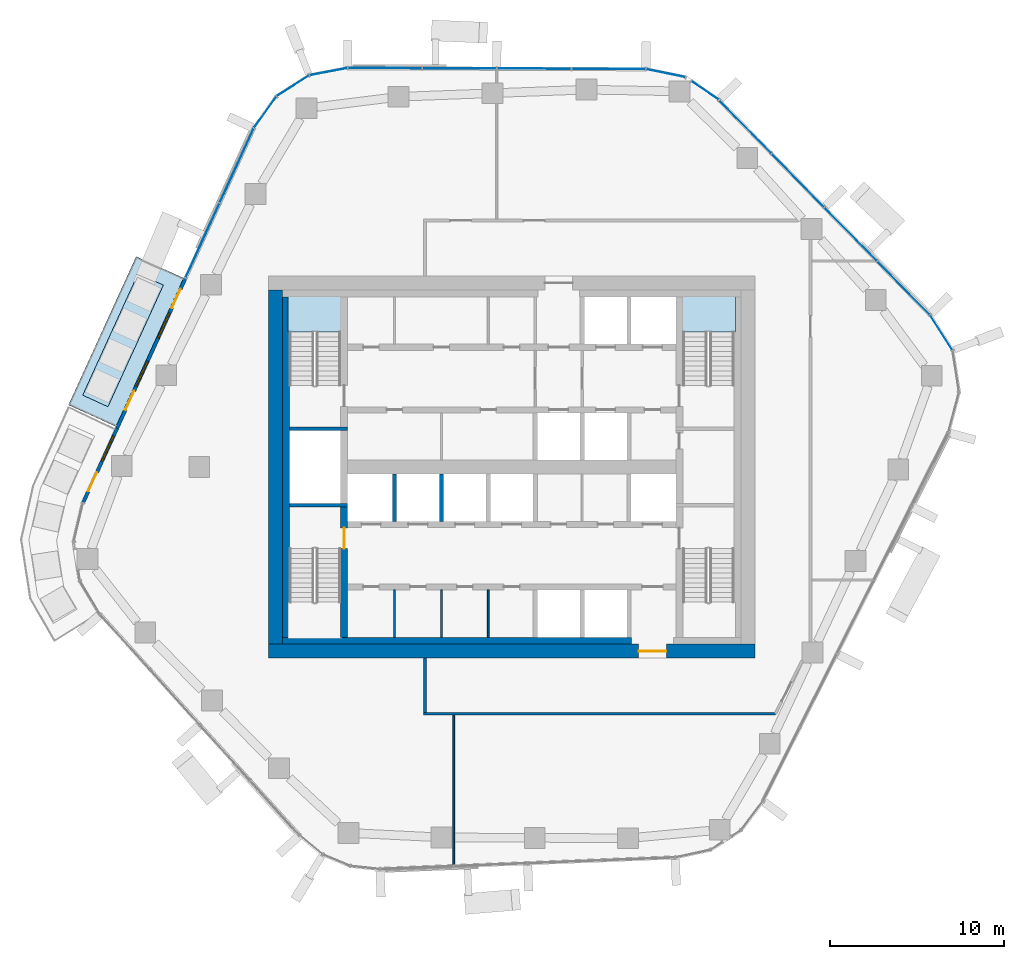
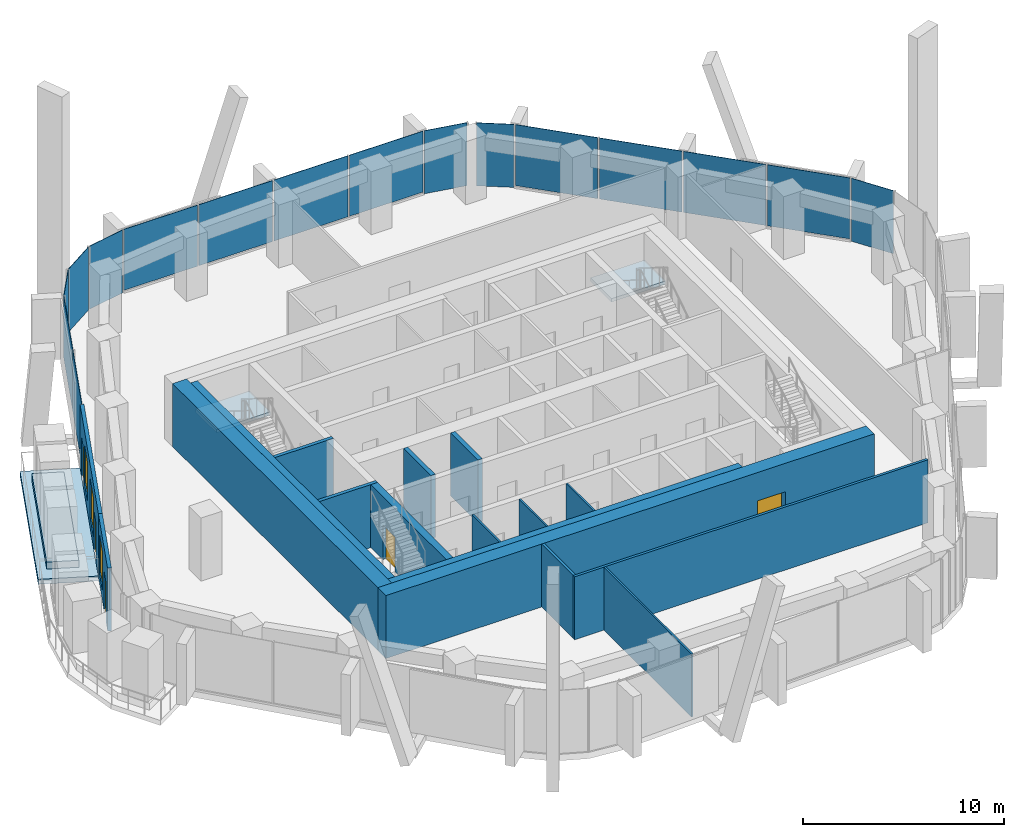
# One storey, part 11 of 19: 17 walls, 16 plates, 5 doors, 4 slabs, 3 windows, 8 openings, 9 elements without a shape of their own.
"""IFC4 building model written with IfcOpenShell, lengths in metres."""

from ifc_helpers import new_model, si_unit, direction, frame, frame_2d, origin, origin_2d, place, context, subcontext, project, spatial, polyline, rectangle, outline, extrude, material, layer, layer_set, type_object, element, fill, aggregate, save


model = new_model("IFC4")

# Units and contexts
model_context = context("Model", 3, precision=1e-05, world=origin(), true_north=direction((0.0, 1.0)))
body_context = subcontext(model_context, "Body", "Model", "MODEL_VIEW")
ifc_project = project(units=[si_unit("LENGTHUNIT", "METRE"), si_unit("AREAUNIT", "SQUARE_METRE"), si_unit("VOLUMEUNIT", "CUBIC_METRE"), si_unit("PLANEANGLEUNIT", "RADIAN"), si_unit("MASSUNIT", "GRAM", prefix="KILO")], contexts=[model_context])

# Site, building, storey
site_placement = place(None, origin())
site = spatial("IfcSite", under=ifc_project, at=site_placement, CompositionType="ELEMENT")
building_placement = place(site_placement, origin())
building = spatial("IfcBuilding", under=site, at=building_placement, Name="Dongbaek Canopy Tower", CompositionType="ELEMENT")
storey_placement = place(building_placement, frame((0.0, 0.0, 198.800048828125)))
storey = spatial("IfcBuildingStorey", under=building, at=storey_placement, Name="L41", CompositionType="ELEMENT", Elevation=198.800048828125)

# Slab
ifc_material_1 = material(Name="Concrete C40/50", Category="concrete")
ifc_layer_1 = layer(ifc_material_1, 0.300048828125)
ifc_layer_set_1 = layer_set([ifc_layer_1], Name="Balcony slab 300")
slab_type_1 = type_object("IfcSlabType", Name="Balcony slab 300", PredefinedType="FLOOR", material=ifc_layer_set_1)
slab_1_placement = place(storey_placement, frame((0.0, 0.0, -0.300048828125)))
element("IfcSlab", 1, at=slab_1_placement, inside=storey, type_object=slab_type_1, Name="Balcony L41 1", PredefinedType="FLOOR", context=body_context, shape_type="SweptSolid", body=[
    extrude(outline(polyline([(-18.8994140625, 10.88330078125), (-22.796142578125, 2.33447265625), (-25.52587890625, 3.57861328125), (-21.629150390625, 12.12744140625), (-18.8994140625, 10.88330078125)])), origin(), (0.0, 0.0, 1.0), 0.300048828125),
])

# Curtain wall, plate
ifc_material_2 = material(Name="Aluminium 6063-T6 pale anodised", Category="aluminium")
ifc_layer_2 = layer(ifc_material_2, 0.199951171875)
ifc_layer_set_2 = layer_set([ifc_layer_2], Name="CW-1 unitised tower curtain wall")
curtain_wall_type = type_object("IfcCurtainWallType", Name="CW-1 unitised tower curtain wall", PredefinedType="NOTDEFINED", material=ifc_layer_set_2)
curtain_wall_1_placement = place(storey_placement, origin())
curtain_wall_1 = element("IfcCurtainWall", 2, at=curtain_wall_1_placement, inside=storey, type_object=curtain_wall_type, Name="CW-1 curtain wall K0.1", PredefinedType="NOTDEFINED")
ifc_material_3 = material(Name="Clear laminated glass", Category="glass")
ifc_layer_3 = layer(ifc_material_3, 0.028076171875)
ifc_layer_set_3 = layer_set([ifc_layer_3], Name="CW-1 glazed panel 28")
plate_type = type_object("IfcPlateType", Name="CW-1 glazed panel 28", PredefinedType="CURTAIN_PANEL", material=ifc_layer_set_3)
plate_1_placement = place(storey_placement, frame((24.725830078125, 7.748046875, 0.0), z_axis=(0.0, 0.0, 1.0), x_axis=(-0.538699608566, 0.842497912004, 0.0)))
plate_1 = element("IfcPlate", 3, at=plate_1_placement, type_object=plate_type, Name="CW-1 panel K0.1.3.1", PredefinedType="CURTAIN_PANEL", context=body_context, shape_type="SweptSolid", body=[
    extrude(rectangle(XDim=2.35107421875, YDim=0.028076171875, at=origin_2d()), origin(), (0.0, 0.0, 1.0), 3.820068359375),
])
aggregate(curtain_wall_1, [plate_1])

# Curtain wall, plates
curtain_wall_2_placement = place(storey_placement, origin())
curtain_wall_2 = element("IfcCurtainWall", 4, at=curtain_wall_2_placement, inside=storey, type_object=curtain_wall_type, Name="CW-1 curtain wall F0.1", PredefinedType="NOTDEFINED")
plate_2_placement = place(storey_placement, frame((22.554931640625, 10.31787109375, 0.1201171875), z_axis=(0.0, 0.0, 1.0), x_axis=(-0.700367537709, 0.713782398301, 0.0)))
plate_2 = element("IfcPlate", 5, at=plate_2_placement, type_object=plate_type, Name="CW-1 panel F0.1.1.1", PredefinedType="CURTAIN_PANEL", context=body_context, shape_type="SweptSolid", body=[
    extrude(rectangle(XDim=4.24267578125, YDim=0.028076171875, at=origin_2d()), origin(), (0.0, 0.0, 1.0), 3.699951171875),
])
plate_3_placement = place(storey_placement, frame((19.52099609375, 13.409912109375, 0.1201171875), z_axis=(0.0, 0.0, 1.0), x_axis=(-0.700367537709, 0.713782398301, 0.0)))
plate_3 = element("IfcPlate", 6, at=plate_3_placement, type_object=plate_type, Name="CW-1 panel F0.1.2.1", PredefinedType="CURTAIN_PANEL", context=body_context, shape_type="SweptSolid", body=[
    extrude(rectangle(XDim=4.2529296875, YDim=0.028076171875, at=origin_2d()), origin(), (0.0, 0.0, 1.0), 3.699951171875),
])
plate_4_placement = place(storey_placement, frame((16.4833984375, 16.505615234375, 0.1201171875), z_axis=(0.0, 0.0, 1.0), x_axis=(-0.700367537709, 0.713782398301, 0.0)))
plate_4 = element("IfcPlate", 7, at=plate_4_placement, type_object=plate_type, Name="CW-1 panel F0.1.3.1", PredefinedType="CURTAIN_PANEL", context=body_context, shape_type="SweptSolid", body=[
    extrude(rectangle(XDim=4.2529296875, YDim=0.028076171875, at=origin_2d()), origin(), (0.0, 0.0, 1.0), 3.699951171875),
])
plate_5_placement = place(storey_placement, frame((13.449462890625, 19.59765625, 0.1201171875), z_axis=(0.0, 0.0, 1.0), x_axis=(-0.700367537709, 0.713782398301, 0.0)))
plate_5 = element("IfcPlate", 8, at=plate_5_placement, type_object=plate_type, Name="CW-1 panel F0.1.4.1", PredefinedType="CURTAIN_PANEL", context=body_context, shape_type="SweptSolid", body=[
    extrude(rectangle(XDim=4.2431640625, YDim=0.028076171875, at=origin_2d()), origin(), (0.0, 0.0, 1.0), 3.699951171875),
])
aggregate(curtain_wall_2, [plate_2, plate_3, plate_4, plate_5])

# Curtain wall, plate
curtain_wall_3_placement = place(storey_placement, origin())
curtain_wall_3 = element("IfcCurtainWall", 9, at=curtain_wall_3_placement, inside=storey, type_object=curtain_wall_type, Name="CW-1 curtain wall K1.1a", PredefinedType="NOTDEFINED")
plate_6_placement = place(storey_placement, frame((11.13671875, 21.68408203125, 0.0), z_axis=(0.0, 0.0, 1.0), x_axis=(-0.826979783957, 0.562231657706, 0.0)))
plate_6 = element("IfcPlate", 10, at=plate_6_placement, type_object=plate_type, Name="CW-1 panel K1.1a.1.1", PredefinedType="CURTAIN_PANEL", context=body_context, shape_type="SweptSolid", body=[
    extrude(rectangle(XDim=1.8447265625, YDim=0.028076171875, at=origin_2d()), origin(), (0.0, 0.0, 1.0), 3.820068359375),
])
aggregate(curtain_wall_3, [plate_6])

curtain_wall_4_placement = place(storey_placement, origin())
curtain_wall_4 = element("IfcCurtainWall", 11, at=curtain_wall_4_placement, inside=storey, type_object=curtain_wall_type, Name="CW-1 curtain wall K1.1b", PredefinedType="NOTDEFINED")
plate_7_placement = place(storey_placement, frame((8.8681640625, 22.683837890625, 0.0), z_axis=(0.0, 0.0, 1.0), x_axis=(-0.979771954396, 0.200117259075, 0.0)))
plate_7 = element("IfcPlate", 12, at=plate_7_placement, type_object=plate_type, Name="CW-1 panel K1.1b.1.1", PredefinedType="CURTAIN_PANEL", context=body_context, shape_type="SweptSolid", body=[
    extrude(rectangle(XDim=2.244140625, YDim=0.028076171875, at=origin_2d()), origin(), (0.0, 0.0, 1.0), 3.820068359375),
])
aggregate(curtain_wall_4, [plate_7])

# Curtain wall, plates
curtain_wall_5_placement = place(storey_placement, origin())
curtain_wall_5 = element("IfcCurtainWall", 13, at=curtain_wall_5_placement, inside=storey, type_object=curtain_wall_type, Name="CW-1 curtain wall F1.1", PredefinedType="NOTDEFINED")
plate_8_placement = place(storey_placement, frame((5.5830078125, 22.9248046875, 0.1201171875), z_axis=(0.0, 0.0, 1.0), x_axis=(-0.999993245538, 0.003675442583, 0.0)))
plate_8 = element("IfcPlate", 14, at=plate_8_placement, type_object=plate_type, Name="CW-1 panel F1.1.1.1", PredefinedType="CURTAIN_PANEL", context=body_context, shape_type="SweptSolid", body=[
    extrude(rectangle(XDim=4.205322265625, YDim=0.028076171875, at=origin_2d()), origin(), (0.0, 0.0, 1.0), 3.699951171875),
])
plate_9_placement = place(storey_placement, frame((1.288818359375, 22.940673828125, 0.1201171875), z_axis=(0.0, 0.0, 1.0), x_axis=(-0.999993245538, 0.003675442583, 0.0)))
plate_9 = element("IfcPlate", 15, at=plate_9_placement, type_object=plate_type, Name="CW-1 panel F1.1.2.1", PredefinedType="CURTAIN_PANEL", context=body_context, shape_type="SweptSolid", body=[
    extrude(rectangle(XDim=4.21533203125, YDim=0.028076171875, at=origin_2d()), origin(), (0.0, 0.0, 1.0), 3.699951171875),
])
plate_10_placement = place(storey_placement, frame((-3.010498046875, 22.956298828125, 0.1201171875), z_axis=(0.0, 0.0, 1.0), x_axis=(-0.999993245538, 0.003675442583, 0.0)))
plate_10 = element("IfcPlate", 16, at=plate_10_placement, type_object=plate_type, Name="CW-1 panel F1.1.3.1", PredefinedType="CURTAIN_PANEL", context=body_context, shape_type="SweptSolid", body=[
    extrude(rectangle(XDim=4.21533203125, YDim=0.028076171875, at=origin_2d()), origin(), (0.0, 0.0, 1.0), 3.699951171875),
])
plate_11_placement = place(storey_placement, frame((-7.304931640625, 22.97216796875, 0.1201171875), z_axis=(0.0, 0.0, 1.0), x_axis=(-0.999993245538, 0.003675442583, 0.0)))
plate_11 = element("IfcPlate", 17, at=plate_11_placement, type_object=plate_type, Name="CW-1 panel F1.1.4.1", PredefinedType="CURTAIN_PANEL", context=body_context, shape_type="SweptSolid", body=[
    extrude(rectangle(XDim=4.20556640625, YDim=0.028076171875, at=origin_2d()), origin(), (0.0, 0.0, 1.0), 3.699951171875),
])
aggregate(curtain_wall_5, [plate_8, plate_9, plate_10, plate_11])

curtain_wall_6_placement = place(storey_placement, origin())
curtain_wall_6 = element("IfcCurtainWall", 18, at=curtain_wall_6_placement, inside=storey, type_object=curtain_wall_type, Name="CW-1 curtain wall K2.1", PredefinedType="NOTDEFINED")
plate_12_placement = place(storey_placement, frame((-10.555419921875, 22.770263671875, 0.0), z_axis=(0.0, 0.0, 1.0), x_axis=(-0.982481231355, -0.186361557287, 0.0)))
plate_12 = element("IfcPlate", 19, at=plate_12_placement, type_object=plate_type, Name="CW-1 panel K2.1.1.1", PredefinedType="CURTAIN_PANEL", context=body_context, shape_type="SweptSolid", body=[
    extrude(rectangle(XDim=2.166748046875, YDim=0.028076171875, at=origin_2d()), origin(), (0.0, 0.0, 1.0), 3.820068359375),
])
plate_13_placement = place(storey_placement, frame((-12.6044921875, 21.956298828125, 0.0), z_axis=(0.0, 0.0, 1.0), x_axis=(-0.842050178225, -0.539399200363, 0.0)))
plate_13 = element("IfcPlate", 20, at=plate_13_placement, type_object=plate_type, Name="CW-1 panel K2.1.2.1", PredefinedType="CURTAIN_PANEL", context=body_context, shape_type="SweptSolid", body=[
    extrude(rectangle(XDim=2.156982421875, YDim=0.028076171875, at=origin_2d()), origin(), (0.0, 0.0, 1.0), 3.820068359375),
])
plate_14_placement = place(storey_placement, frame((-14.20068359375, 20.43505859375, 0.0), z_axis=(0.0, 0.0, 1.0), x_axis=(-0.580063743798, -0.814571085376, 0.0)))
plate_14 = element("IfcPlate", 21, at=plate_14_placement, type_object=plate_type, Name="CW-1 panel K2.1.3.1", PredefinedType="CURTAIN_PANEL", context=body_context, shape_type="SweptSolid", body=[
    extrude(rectangle(XDim=2.166748046875, YDim=0.028076171875, at=origin_2d()), origin(), (0.0, 0.0, 1.0), 3.820068359375),
])
aggregate(curtain_wall_6, [plate_12, plate_13, plate_14])

curtain_wall_7_placement = place(storey_placement, origin())
curtain_wall_7 = element("IfcCurtainWall", 22, at=curtain_wall_7_placement, inside=storey, type_object=curtain_wall_type, Name="CW-1 curtain wall F2.1", PredefinedType="NOTDEFINED")
plate_15_placement = place(storey_placement, frame((-15.8359375, 17.36279296875, 0.1201171875), z_axis=(0.0, 0.0, 1.0), x_axis=(-0.414755400449, -0.909932941374, 0.0)))
plate_15 = element("IfcPlate", 23, at=plate_15_placement, type_object=plate_type, Name="CW-1 panel F2.1.1.1", PredefinedType="CURTAIN_PANEL", context=body_context, shape_type="SweptSolid", body=[
    extrude(rectangle(XDim=4.654052734375, YDim=0.028076171875, at=origin_2d()), origin(), (0.0, 0.0, 1.0), 3.699951171875),
])
plate_16_placement = place(storey_placement, frame((-17.80322265625, 13.04736328125, 0.1201171875), z_axis=(0.0, 0.0, 1.0), x_axis=(-0.414755400449, -0.909932941374, 0.0)))
plate_16 = element("IfcPlate", 24, at=plate_16_placement, type_object=plate_type, Name="CW-1 panel F2.1.2.1", PredefinedType="CURTAIN_PANEL", context=body_context, shape_type="SweptSolid", body=[
    extrude(rectangle(XDim=4.66357421875, YDim=0.028076171875, at=origin_2d()), origin(), (0.0, 0.0, 1.0), 3.699951171875),
])
aggregate(curtain_wall_7, [plate_15, plate_16])

# Stair, slab
ifc_material_4 = material(Name="Concrete C40/50", Category="concrete")
stair_type = type_object("IfcStairType", Name="Core exit stair", PredefinedType="HALF_TURN_STAIR", material=ifc_material_4)
stair_1_placement = place(storey_placement, origin())
stair_1 = element("IfcStair", 25, at=stair_1_placement, inside=storey, type_object=stair_type, Name="L41 exit stair A", PredefinedType="HALF_TURN_STAIR")
ifc_material_5 = material(Name="Concrete C40/50", Category="concrete")
ifc_layer_4 = layer(ifc_material_5, 0.199951171875)
ifc_layer_set_4 = layer_set([ifc_layer_4], Name="Core stair landing 200")
slab_type_2 = type_object("IfcSlabType", Name="Core stair landing 200", PredefinedType="LANDING", material=ifc_layer_set_4)
slab_2_placement = place(storey_placement, frame((0.0, 0.0, 1.89990234375)))
slab_2 = element("IfcSlab", 26, at=slab_2_placement, type_object=slab_type_2, Name="ST-A landing 1", PredefinedType="LANDING", context=body_context, shape_type="SweptSolid", body=[
    extrude(outline(polyline([(12.875, 7.780029296875), (12.875, 9.875), (9.77490234375, 9.875), (9.77490234375, 7.780029296875), (12.875, 7.780029296875)])), origin(), (0.0, 0.0, 1.0), 0.199951171875),
])
aggregate(stair_1, [slab_2])

stair_2_placement = place(storey_placement, origin())
stair_2 = element("IfcStair", 27, at=stair_2_placement, inside=storey, type_object=stair_type, Name="L41 exit stair C", PredefinedType="HALF_TURN_STAIR")
slab_3_placement = place(storey_placement, frame((0.0, 0.0, 1.89990234375)))
slab_3 = element("IfcSlab", 28, at=slab_3_placement, type_object=slab_type_2, Name="ST-C landing 1", PredefinedType="LANDING", context=body_context, shape_type="SweptSolid", body=[
    extrude(outline(polyline([(-9.77490234375, 7.780029296875), (-9.77490234375, 9.875), (-12.875, 9.875), (-12.875, 7.780029296875), (-9.77490234375, 7.780029296875)])), origin(), (0.0, 0.0, 1.0), 0.199951171875),
])
aggregate(stair_2, [slab_3])

# Slab
ifc_material_6 = material(Name="Reinforced concrete C40/50 planter box with soil", Category="concrete")
ifc_layer_5 = layer(ifc_material_6, 0.419921875)
ifc_layer_set_5 = layer_set([ifc_layer_5], Name="Terrace planter box 1600 x 420")
slab_type_3 = type_object("IfcSlabType", Name="Terrace planter box 1600 x 420", PredefinedType="USERDEFINED", material=ifc_layer_set_5)
slab_4_placement = place(storey_placement, origin())
element("IfcSlab", 29, at=slab_4_placement, inside=storey, type_object=slab_type_3, Name="Balcony planter L41 1", ObjectType="PLANTER", PredefinedType="USERDEFINED", context=body_context, shape_type="SweptSolid", body=[
    extrude(outline(polyline([(-20.061767578125, 10.47900390625), (-23.25341796875, 3.47705078125), (-24.709228515625, 4.140625), (-21.517578125, 11.142578125), (-20.061767578125, 10.47900390625)])), origin(), (0.0, 0.0, 1.0), 0.419921875),
])

# Wall, opening, door
ifc_material_7 = material(Name="Concrete C70/85", Category="concrete")
ifc_layer_6 = layer(ifc_material_7, 0.800048828125)
ifc_layer_set_6 = layer_set([ifc_layer_6], Name="Core outer wall 800 Concrete C70/85")
wall_type_1 = type_object("IfcWallType", Name="Core outer wall 800 Concrete C70/85", PredefinedType="SHEAR", material=ifc_layer_set_6)
wall_1_placement = place(storey_placement, frame((14.0, -10.60009765625, 0.0), z_axis=(0.0, 0.0, 1.0), x_axis=(-1.0, 0.0, 0.0)))
wall_1 = element("IfcWall", 30, at=wall_1_placement, inside=storey, type_object=wall_type_1, Name="Core wall", PredefinedType="SHEAR", context=body_context, shape_type="SweptSolid", body=[
    extrude(rectangle(XDim=28.0, YDim=0.800048828125, at=frame_2d((14.0, 0.0))), origin(), (0.0, 0.0, 1.0), 3.820068359375),
])
opening_1_placement = place(wall_1_placement, frame((5.10009765625, 0.0, 0.0)))
opening_1 = element("IfcOpeningElement", 31, at=opening_1_placement, cuts=wall_1, Name="Opening L41-D018", PredefinedType="OPENING", context=body_context, shape_type="SweptSolid", body=[
    extrude(rectangle(XDim=1.60009765625, YDim=2.10009765625, at=frame_2d((0.800048828125, 1.050048828125))), frame((0.0, 0.409912109375, 0.0), z_axis=(0.0, -1.0, 0.0), x_axis=(1.0, 0.0, 0.0)), (0.0, 0.0, 1.0), 0.820068359375),
])
ifc_material_8 = material(Name="Steel", Category="steel")
door_type_1 = type_object("IfcDoorType", Name="Core exit door 1600 x 2100", OperationType="DOUBLE_DOOR_SINGLE_SWING", PredefinedType="DOOR", material=ifc_material_8)
door_1_placement = place(opening_1_placement, origin())
door_1 = element("IfcDoor", 32, at=door_1_placement, inside=storey, type_object=door_type_1, Name="Core exit door", OperationType="DOUBLE_DOOR_SINGLE_SWING", OverallHeight=2.10009765625, OverallWidth=1.60009765625, PredefinedType="DOOR", context=body_context, shape_type="SweptSolid", body=[
    extrude(rectangle(XDim=1.60009765625, YDim=2.10009765625, at=frame_2d((0.800048828125, 1.050048828125))), frame((0.0, 0.02490234375, 0.0), z_axis=(0.0, -1.0, 0.0), x_axis=(1.0, 0.0, 0.0)), (0.0, 0.0, 1.0), 0.050048828125),
])
fill(opening_1, door_1)

# Walls
wall_2_placement = place(storey_placement, frame((-13.60009765625, -10.199951171875, 0.0), z_axis=(0.0, 0.0, 1.0), x_axis=(0.0, 1.0, 0.0)))
element("IfcWall", 33, at=wall_2_placement, inside=storey, type_object=wall_type_1, Name="Core wall", PredefinedType="SHEAR", context=body_context, shape_type="SweptSolid", body=[
    extrude(rectangle(XDim=20.39990234375, YDim=0.800048828125, at=frame_2d((10.199951171875, 0.0))), origin(), (0.0, 0.0, 1.0), 3.820068359375),
])
ifc_material_9 = material(Name="Concrete C60/75", Category="concrete")
ifc_layer_7 = layer(ifc_material_9, 0.39990234375)
ifc_layer_set_7 = layer_set([ifc_layer_7], Name="Core wall lining 400 Concrete C60/75")
wall_type_2 = type_object("IfcWallType", Name="Core wall lining 400 Concrete C60/75", PredefinedType="SHEAR", material=ifc_layer_set_7)
wall_3_placement = place(storey_placement, frame((6.89990234375, -10.0, 0.0), z_axis=(0.0, 0.0, 1.0), x_axis=(-1.0, 0.0, 0.0)))
element("IfcWall", 34, at=wall_3_placement, inside=storey, type_object=wall_type_2, Name="Core wall lining", PredefinedType="SHEAR", context=body_context, shape_type="SweptSolid", body=[
    extrude(rectangle(XDim=20.099853515625, YDim=0.39990234375, at=frame_2d((10.0498046875, 0.0))), origin(), (0.0, 0.0, 1.0), 3.820068359375),
])
wall_4_placement = place(storey_placement, frame((-13.0, -9.800048828125, 0.0), z_axis=(0.0, 0.0, 1.0), x_axis=(0.0, 1.0, 0.0)))
element("IfcWall", 35, at=wall_4_placement, inside=storey, type_object=wall_type_2, Name="Core wall lining", PredefinedType="SHEAR", context=body_context, shape_type="SweptSolid", body=[
    extrude(rectangle(XDim=19.60009765625, YDim=0.39990234375, at=frame_2d((9.800048828125, 0.0))), origin(), (0.0, 0.0, 1.0), 3.820068359375),
])
ifc_material_10 = material(Name="Gypsum board partition, steel stud, 2 x 15 mm fire board", Category="steel")
ifc_layer_8 = layer(ifc_material_10, 0.14990234375)
ifc_layer_set_8 = layer_set([ifc_layer_8], Name="Fire-rated partition 150 gypsum board")
wall_type_3 = type_object("IfcWallType", Name="Fire-rated partition 150 gypsum board", PredefinedType="PARTITIONING", material=ifc_layer_set_8)
wall_5_placement = place(storey_placement, frame((-5.074951171875, -14.199951171875, 0.0), z_axis=(0.0, 0.0, 1.0), x_axis=(1.0, 0.0, 0.0)))
element("IfcWall", 36, at=wall_5_placement, inside=storey, type_object=wall_type_3, Name="Corridor partition", PredefinedType="PARTITIONING", context=body_context, shape_type="SweptSolid", body=[
    extrude(rectangle(XDim=20.2548828125, YDim=0.14990234375, at=frame_2d((10.12744140625, 0.0))), origin(), (0.0, 0.0, 1.0), 3.820068359375),
])
wall_6_placement = place(storey_placement, frame((-5.0, -14.125, 0.0), z_axis=(0.0, 0.0, 1.0), x_axis=(0.0, 1.0, 0.0)))
element("IfcWall", 37, at=wall_6_placement, inside=storey, type_object=wall_type_3, Name="Corridor partition", PredefinedType="PARTITIONING", context=body_context, shape_type="SweptSolid", body=[
    extrude(rectangle(XDim=3.125, YDim=0.14990234375, at=frame_2d((1.5625, 0.0))), origin(), (0.0, 0.0, 1.0), 3.820068359375),
])
ifc_material_11 = material(Name="Concrete C40/50", Category="concrete")
ifc_layer_9 = layer(ifc_material_11, 0.25)
ifc_layer_set_9 = layer_set([ifc_layer_9], Name="Lift shaft wall 250 Concrete C40/50")
wall_type_4 = type_object("IfcWallType", Name="Lift shaft wall 250 Concrete C40/50", PredefinedType="SOLIDWALL", material=ifc_layer_set_9)
for number, where, z_axis, x_axis, name in (
    (38, (-4.050048828125, -3.125, 0.0), (0.0, 0.0, 1.0), (0.0, 1.0, 0.0), "Lift shaft wall"),
    (39, (-6.75, -3.125, 0.0), (0.0, 0.0, 1.0), (0.0, 1.0, 0.0), "Lift shaft wall"),
):
    element("IfcWall", number, at=place(storey_placement, frame(where, z_axis=z_axis, x_axis=x_axis)), inside=storey, type_object=wall_type_4, Name=name, PredefinedType="SOLIDWALL", context=body_context, shape_type="SweptSolid", body=[
        extrude(rectangle(XDim=2.72509765625, YDim=0.25, at=frame_2d((1.362548828125, 0.0))), origin(), (0.0, 0.0, 1.0), 3.820068359375),
    ])
ifc_material_12 = material(Name="Gypsum board partition, steel stud, 2 x 12.5 mm board", Category="steel")
ifc_layer_10 = layer(ifc_material_12, 0.10009765625)
ifc_layer_set_10 = layer_set([ifc_layer_10], Name="Partition 100 gypsum board")
wall_type_5 = type_object("IfcWallType", Name="Partition 100 gypsum board", PredefinedType="PARTITIONING", material=ifc_layer_set_10)
wall_7_placement = place(storey_placement, frame((-3.343994140625, -22.963623046875, 0.0), z_axis=(0.0, 0.0, 1.0), x_axis=(0.0, 1.0, 0.0)))
element("IfcWall", 40, at=wall_7_placement, inside=storey, type_object=wall_type_5, Name="Partition", PredefinedType="PARTITIONING", context=body_context, shape_type="SweptSolid", body=[
    extrude(rectangle(XDim=8.688720703125, YDim=0.10009765625, at=frame_2d((4.34423828125, 0.0))), origin(), (0.0, 0.0, 1.0), 3.820068359375),
])
for number, where, z_axis, x_axis, name in (
    (41, (-1.35009765625, -9.800048828125, 0.0), (0.0, 0.0, 1.0), (0.0, 1.0, 0.0), "Core partition"),
    (42, (-4.050048828125, -9.800048828125, 0.0), (0.0, 0.0, 1.0), (0.0, 1.0, 0.0), "Core partition"),
    (43, (-6.75, -9.800048828125, 0.0), (0.0, 0.0, 1.0), (0.0, 1.0, 0.0), "Core partition"),
):
    element("IfcWall", number, at=place(storey_placement, frame(where, z_axis=z_axis, x_axis=x_axis)), inside=storey, type_object=wall_type_5, Name=name, PredefinedType="PARTITIONING", context=body_context, shape_type="SweptSolid", body=[
        extrude(rectangle(XDim=2.72509765625, YDim=0.10009765625, at=frame_2d((1.362548828125, 0.0))), origin(), (0.0, 0.0, 1.0), 3.820068359375),
    ])
ifc_material_13 = material(Name="Concrete C60/75", Category="concrete")
ifc_layer_11 = layer(ifc_material_13, 0.199951171875)
ifc_layer_set_11 = layer_set([ifc_layer_11], Name="Riser wall 200 Concrete C60/75")
wall_type_6 = type_object("IfcWallType", Name="Riser wall 200 Concrete C60/75", PredefinedType="SHEAR", material=ifc_layer_set_11)
for number, where, z_axis, x_axis, name in (
    (44, (-9.449951171875, 2.199951171875, 0.0), (0.0, 0.0, 1.0), (-1.0, 0.0, 0.0), "Riser wall"),
    (45, (-9.449951171875, -2.199951171875, 0.0), (0.0, 0.0, 1.0), (-1.0, 0.0, 0.0), "Riser wall"),
):
    element("IfcWall", number, at=place(storey_placement, frame(where, z_axis=z_axis, x_axis=x_axis)), inside=storey, type_object=wall_type_6, Name=name, PredefinedType="SHEAR", context=body_context, shape_type="SweptSolid", body=[
        extrude(rectangle(XDim=3.35009765625, YDim=0.199951171875, at=frame_2d((1.675048828125, 0.0))), origin(), (0.0, 0.0, 1.0), 3.820068359375),
    ])

# Wall, opening, door
ifc_material_14 = material(Name="Concrete C60/75", Category="concrete")
ifc_layer_12 = layer(ifc_material_14, 0.39990234375)
ifc_layer_set_12 = layer_set([ifc_layer_12], Name="Stair wall 400 Concrete C60/75")
wall_type_7 = type_object("IfcWallType", Name="Stair wall 400 Concrete C60/75", PredefinedType="SHEAR", material=ifc_layer_set_12)
wall_8_placement = place(storey_placement, frame((-9.64990234375, -9.800048828125, 0.0), z_axis=(0.0, 0.0, 1.0), x_axis=(0.0, 1.0, 0.0)))
wall_8 = element("IfcWall", 46, at=wall_8_placement, inside=storey, type_object=wall_type_7, Name="Stair wall", PredefinedType="SHEAR", context=body_context, shape_type="SweptSolid", body=[
    extrude(rectangle(XDim=7.5, YDim=0.39990234375, at=frame_2d((3.75, 0.0))), origin(), (0.0, 0.0, 1.0), 3.820068359375),
])
opening_2_placement = place(wall_8_placement, frame((5.10009765625, 0.0, 0.0)))
opening_2 = element("IfcOpeningElement", 47, at=opening_2_placement, cuts=wall_8, Name="Opening L41-D034", PredefinedType="OPENING", context=body_context, shape_type="SweptSolid", body=[
    extrude(rectangle(XDim=1.199951171875, YDim=2.10009765625, at=frame_2d((0.60009765625, 1.050048828125))), frame((0.0, 0.2099609375, 0.0), z_axis=(0.0, -1.0, 0.0), x_axis=(1.0, 0.0, 0.0)), (0.0, 0.0, 1.0), 0.419921875),
])
ifc_material_15 = material(Name="Steel", Category="steel")
door_type_2 = type_object("IfcDoorType", Name="Stair door 1200 x 2100", OperationType="SINGLE_SWING_LEFT", PredefinedType="DOOR", material=ifc_material_15)
door_2_placement = place(opening_2_placement, origin())
door_2 = element("IfcDoor", 48, at=door_2_placement, inside=storey, type_object=door_type_2, Name="Stair D door", OperationType="SINGLE_SWING_LEFT", OverallHeight=2.10009765625, OverallWidth=1.199951171875, PredefinedType="DOOR", context=body_context, shape_type="SweptSolid", body=[
    extrude(rectangle(XDim=1.199951171875, YDim=2.10009765625, at=frame_2d((0.60009765625, 1.050048828125))), frame((0.0, 0.02490234375, 0.0), z_axis=(0.0, -1.0, 0.0), x_axis=(1.0, 0.0, 0.0)), (0.0, 0.0, 1.0), 0.050048828125),
])
fill(opening_2, door_2)

# Wall, openings, doors, windows
ifc_material_16 = material(Name="Aluminium window wall", Category="aluminium")
ifc_layer_13 = layer(ifc_material_16, 0.199951171875)
ifc_layer_set_13 = layer_set([ifc_layer_13], Name="Window wall 200")
wall_type_8 = type_object("IfcWallType", Name="Window wall 200", PredefinedType="SOLIDWALL", material=ifc_layer_set_13)
wall_9_placement = place(storey_placement, frame((-18.78759765625, 10.88720703125, 0.0), z_axis=(0.0, 0.0, 1.0), x_axis=(-0.414763575381, -0.909929215124, 0.0)))
wall_9 = element("IfcWall", 49, at=wall_9_placement, inside=storey, type_object=wall_type_8, Name="Window wall L41 1", PredefinedType="SOLIDWALL", context=body_context, shape_type="SweptSolid", body=[
    extrude(rectangle(XDim=9.4951171875, YDim=0.199951171875, at=frame_2d((4.74755859375, 0.0))), origin(), (0.0, 0.0, 1.0), 3.820068359375),
])
opening_3_placement = place(wall_9_placement, frame((2.199951171875, 0.0, 0.60009765625)))
opening_3 = element("IfcOpeningElement", 50, at=opening_3_placement, cuts=wall_9, Name="Opening W1", PredefinedType="OPENING", context=body_context, shape_type="SweptSolid", body=[
    extrude(rectangle(XDim=1.60009765625, YDim=2.39990234375, at=frame_2d((0.800048828125, 1.199951171875))), frame((0.0, 0.10986328125, 0.0), z_axis=(0.0, -1.0, 0.0), x_axis=(1.0, 0.0, 0.0)), (0.0, 0.0, 1.0), 0.219970703125),
])
opening_4_placement = place(wall_9_placement, frame((0.699951171875, 0.0, 0.0)))
opening_4 = element("IfcOpeningElement", 51, at=opening_4_placement, cuts=wall_9, Name="Opening L41-B01", PredefinedType="OPENING", context=body_context, shape_type="SweptSolid", body=[
    extrude(rectangle(XDim=1.199951171875, YDim=2.39990234375, at=frame_2d((0.60009765625, 1.199951171875))), frame((0.0, 0.10986328125, 0.0), z_axis=(0.0, -1.0, 0.0), x_axis=(1.0, 0.0, 0.0)), (0.0, 0.0, 1.0), 0.219970703125),
])
opening_5_placement = place(wall_9_placement, frame((5.24755859375, 0.0, 0.60009765625)))
opening_5 = element("IfcOpeningElement", 52, at=opening_5_placement, cuts=wall_9, Name="Opening W1", PredefinedType="OPENING", context=body_context, shape_type="SweptSolid", body=[
    extrude(rectangle(XDim=1.60009765625, YDim=2.39990234375, at=frame_2d((0.800048828125, 1.199951171875))), frame((0.0, 0.10986328125, 0.0), z_axis=(0.0, -1.0, 0.0), x_axis=(1.0, 0.0, 0.0)), (0.0, 0.0, 1.0), 0.219970703125),
])
opening_6_placement = place(wall_9_placement, frame((7.1474609375, 0.0, 0.0)))
opening_6 = element("IfcOpeningElement", 53, at=opening_6_placement, cuts=wall_9, Name="Opening L41-B02", PredefinedType="OPENING", context=body_context, shape_type="SweptSolid", body=[
    extrude(rectangle(XDim=1.199951171875, YDim=2.39990234375, at=frame_2d((0.60009765625, 1.199951171875))), frame((0.0, 0.10986328125, 0.0), z_axis=(0.0, -1.0, 0.0), x_axis=(1.0, 0.0, 0.0)), (0.0, 0.0, 1.0), 0.219970703125),
])
ifc_material_17 = material(Name="Clear glazing in aluminium frame", Category="aluminium")
door_type_3 = type_object("IfcDoorType", Name="Balcony door BD1 1200 x 2400", OperationType="SLIDING_TO_LEFT", PredefinedType="DOOR", material=ifc_material_17)
door_3_placement = place(opening_4_placement, origin())
door_3 = element("IfcDoor", 54, at=door_3_placement, inside=storey, type_object=door_type_3, Name="Balcony door L41-B01", OperationType="SLIDING_TO_LEFT", OverallHeight=2.39990234375, OverallWidth=1.199951171875, PredefinedType="DOOR", context=body_context, shape_type="SweptSolid", body=[
    extrude(rectangle(XDim=1.199951171875, YDim=2.39990234375, at=frame_2d((0.60009765625, 1.199951171875))), frame((0.0, 0.02490234375, 0.0), z_axis=(0.0, -1.0, 0.0), x_axis=(1.0, 0.0, 0.0)), (0.0, 0.0, 1.0), 0.050048828125),
])
fill(opening_4, door_3)
door_4_placement = place(opening_6_placement, origin())
door_4 = element("IfcDoor", 55, at=door_4_placement, inside=storey, type_object=door_type_3, Name="Balcony door L41-B02", OperationType="SLIDING_TO_LEFT", OverallHeight=2.39990234375, OverallWidth=1.199951171875, PredefinedType="DOOR", context=body_context, shape_type="SweptSolid", body=[
    extrude(rectangle(XDim=1.199951171875, YDim=2.39990234375, at=frame_2d((0.60009765625, 1.199951171875))), frame((0.0, 0.02490234375, 0.0), z_axis=(0.0, -1.0, 0.0), x_axis=(1.0, 0.0, 0.0)), (0.0, 0.0, 1.0), 0.050048828125),
])
fill(opening_6, door_4)
ifc_material_18 = material(Name="Clear glazing in aluminium frame", Category="aluminium")
window_type = type_object("IfcWindowType", Name="Window W1 1600 x 2400", PartitioningType="SINGLE_PANEL", PredefinedType="WINDOW", material=ifc_material_18)
window_1_placement = place(opening_3_placement, origin())
window_1 = element("IfcWindow", 56, at=window_1_placement, inside=storey, type_object=window_type, Name="Window L41 1.1", OverallHeight=2.39990234375, OverallWidth=1.60009765625, PartitioningType="SINGLE_PANEL", PredefinedType="WINDOW", context=body_context, shape_type="SweptSolid", body=[
    extrude(rectangle(XDim=1.60009765625, YDim=2.39990234375, at=frame_2d((0.800048828125, 1.199951171875))), frame((0.0, 0.030029296875, 0.0), z_axis=(0.0, -1.0, 0.0), x_axis=(1.0, 0.0, 0.0)), (0.0, 0.0, 1.0), 0.06005859375),
])
fill(opening_3, window_1)
window_2_placement = place(opening_5_placement, origin())
window_2 = element("IfcWindow", 57, at=window_2_placement, inside=storey, type_object=window_type, Name="Window L41 1.2", OverallHeight=2.39990234375, OverallWidth=1.60009765625, PartitioningType="SINGLE_PANEL", PredefinedType="WINDOW", context=body_context, shape_type="SweptSolid", body=[
    extrude(rectangle(XDim=1.60009765625, YDim=2.39990234375, at=frame_2d((0.800048828125, 1.199951171875))), frame((0.0, 0.030029296875, 0.0), z_axis=(0.0, -1.0, 0.0), x_axis=(1.0, 0.0, 0.0)), (0.0, 0.0, 1.0), 0.06005859375),
])
fill(opening_5, window_2)

# Wall, openings, door, window
wall_10_placement = place(storey_placement, frame((-22.725830078125, 2.247314453125, 0.0), z_axis=(0.0, 0.0, 1.0), x_axis=(-0.41476943832, -0.909926542659, 0.0)))
wall_10 = element("IfcWall", 58, at=wall_10_placement, inside=storey, type_object=wall_type_8, Name="Window wall L41 2", PredefinedType="SOLIDWALL", context=body_context, shape_type="SweptSolid", body=[
    extrude(rectangle(XDim=4.73779296875, YDim=0.199951171875, at=frame_2d((2.368896484375, 0.0))), origin(), (0.0, 0.0, 1.0), 3.820068359375),
])
opening_7_placement = place(wall_10_placement, frame((0.5, 0.0, 0.60009765625)))
opening_7 = element("IfcOpeningElement", 59, at=opening_7_placement, cuts=wall_10, Name="Opening W1", PredefinedType="OPENING", context=body_context, shape_type="SweptSolid", body=[
    extrude(rectangle(XDim=1.60009765625, YDim=2.39990234375, at=frame_2d((0.800048828125, 1.199951171875))), frame((0.0, 0.10986328125, 0.0), z_axis=(0.0, -1.0, 0.0), x_axis=(1.0, 0.0, 0.0)), (0.0, 0.0, 1.0), 0.219970703125),
])
opening_8_placement = place(wall_10_placement, frame((2.800048828125, 0.0, 0.0)))
opening_8 = element("IfcOpeningElement", 60, at=opening_8_placement, cuts=wall_10, Name="Opening L41-B03", PredefinedType="OPENING", context=body_context, shape_type="SweptSolid", body=[
    extrude(rectangle(XDim=1.199951171875, YDim=2.39990234375, at=frame_2d((0.60009765625, 1.199951171875))), frame((0.0, 0.10986328125, 0.0), z_axis=(0.0, -1.0, 0.0), x_axis=(1.0, 0.0, 0.0)), (0.0, 0.0, 1.0), 0.219970703125),
])
door_5_placement = place(opening_8_placement, origin())
door_5 = element("IfcDoor", 61, at=door_5_placement, inside=storey, type_object=door_type_3, Name="Balcony door L41-B03", OperationType="SLIDING_TO_LEFT", OverallHeight=2.39990234375, OverallWidth=1.199951171875, PredefinedType="DOOR", context=body_context, shape_type="SweptSolid", body=[
    extrude(rectangle(XDim=1.199951171875, YDim=2.39990234375, at=frame_2d((0.60009765625, 1.199951171875))), frame((0.0, 0.02490234375, 0.0), z_axis=(0.0, -1.0, 0.0), x_axis=(1.0, 0.0, 0.0)), (0.0, 0.0, 1.0), 0.050048828125),
])
fill(opening_8, door_5)
window_3_placement = place(opening_7_placement, origin())
window_3 = element("IfcWindow", 62, at=window_3_placement, inside=storey, type_object=window_type, Name="Window L41 2.1", OverallHeight=2.39990234375, OverallWidth=1.60009765625, PartitioningType="SINGLE_PANEL", PredefinedType="WINDOW", context=body_context, shape_type="SweptSolid", body=[
    extrude(rectangle(XDim=1.60009765625, YDim=2.39990234375, at=frame_2d((0.800048828125, 1.199951171875))), frame((0.0, 0.030029296875, 0.0), z_axis=(0.0, -1.0, 0.0), x_axis=(1.0, 0.0, 0.0)), (0.0, 0.0, 1.0), 0.06005859375),
])
fill(opening_7, window_3)

save(model, "model.ifc")
